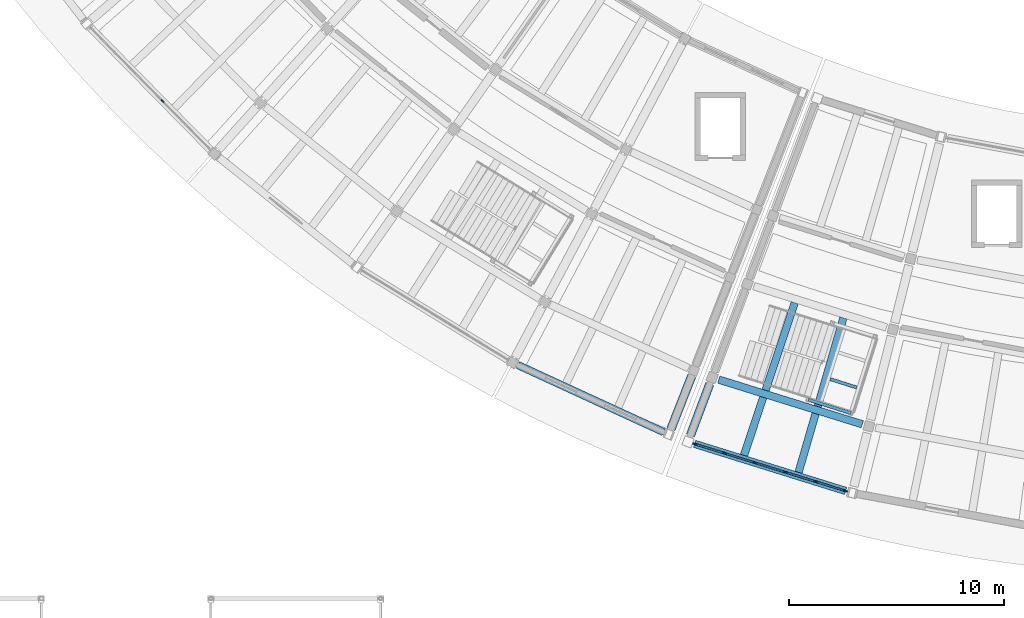
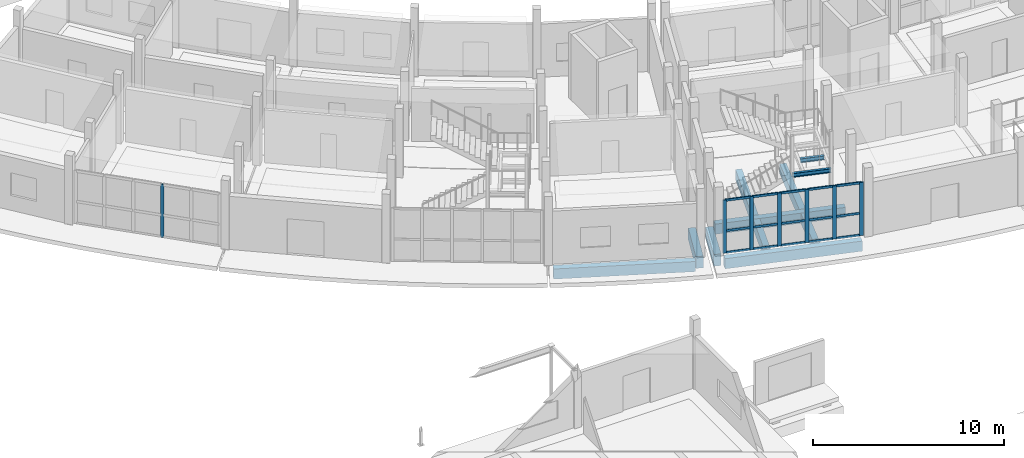
# One storey, part 25 of 92: 22 members, 9 beams, 2 elements without a shape of their own.
"""IFC4 building model written with IfcOpenShell, lengths in metres."""

import ifcopenshell
import ifcopenshell.guid

model = None  # the IFC model being written
_history = None  # IfcOwnerHistory: only IFC2X3 demands one
_inside = {}  # id of a spatial element -> (the spatial element, [elements in it])
_under = {}  # id of a project, library or spatial element -> (it, [spatial elements below it])
_declared = {}  # id of a project -> (the project, [libraries it declares])
_typed = {}  # id of a type object -> (the type object, [elements of that type])
_made_of = {}  # id of a material, layer set ... -> (it, [elements and type objects made of it])


def new_model(schema):
    """Start an empty IFC model of exactly this schema.

    Asked for "IFC4X3", IfcOpenShell would pick the latest addendum, in which some entities
    have other attributes; the version numbers below select the first issue.
    IFC2X3 requires an IfcOwnerHistory on every rooted entity: one is made here for all.
    """
    global model, _history
    if schema == "IFC4X3":
        model = ifcopenshell.file(schema_version=(4, 3, 0, 0))
    else:
        model = ifcopenshell.file(schema=schema)
    _inside.clear()
    _under.clear()
    _declared.clear()
    _typed.clear()
    _made_of.clear()
    _history = None
    if model.schema == "IFC2X3":
        org = make("IfcOrganization", Name="unknown")
        user = make(
            "IfcPersonAndOrganization",
            ThePerson=make("IfcPerson", FamilyName="unknown"),
            TheOrganization=org,
        )
        app = make(
            "IfcApplication",
            ApplicationDeveloper=org,
            Version="unknown",
            ApplicationFullName="unknown",
            ApplicationIdentifier="unknown",
        )
        _history = make(
            "IfcOwnerHistory",
            OwningUser=user,
            OwningApplication=app,
            ChangeAction="ADDED",
            CreationDate=0,
        )
    return model


def make(cls, **values):
    """One entity of the class cls with the attributes given. An attribute that is None is left unset."""
    return model.create_entity(
        cls, **{name: value for name, value in values.items() if value is not None}
    )


def rooted(cls, **values):
    """An entity with a GlobalId (a new one), such as an element, a storey or a relation."""
    return make(cls, GlobalId=ifcopenshell.guid.new(), OwnerHistory=_history, **values)


def si_unit(unit_type, name, prefix=None):
    """IfcSIUnit, for example si_unit("LENGTHUNIT", "METRE", prefix="MILLI")."""
    return make("IfcSIUnit", UnitType=unit_type, Prefix=prefix, Name=name)


def assignment(units):
    """IfcUnitAssignment: the units of a project."""
    return None if units is None else make("IfcUnitAssignment", Units=units)


def point(xyz):
    """IfcCartesianPoint."""
    return None if xyz is None else make("IfcCartesianPoint", Coordinates=xyz)


def direction(xyz):
    """IfcDirection."""
    return None if xyz is None else make("IfcDirection", DirectionRatios=xyz)


def frame(location, z_axis=None, x_axis=None):
    """IfcAxis2Placement3D, a coordinate frame: its origin and axes. An axis left out is left unset."""
    return make(
        "IfcAxis2Placement3D",
        Location=point(location),
        Axis=direction(z_axis),
        RefDirection=direction(x_axis),
    )


def frame_2d(location, x_axis=None):
    """IfcAxis2Placement2D, a coordinate frame in the plane: its origin and x axis."""
    return make(
        "IfcAxis2Placement2D", Location=point(location), RefDirection=direction(x_axis)
    )


def origin():
    """The frame at (0, 0, 0) with its axes left unset."""
    return frame((0.0, 0.0, 0.0))


def origin_2d():
    """The frame at (0, 0) in the plane with its x axis left unset."""
    return frame_2d((0.0, 0.0))


def place(relative_to, where):
    """IfcLocalPlacement: puts the frame where relative to a parent placement (None: the world)."""
    return make(
        "IfcLocalPlacement", PlacementRelTo=relative_to, RelativePlacement=where
    )


def context(
    kind, dimensions, precision=None, world=None, true_north=None, identifier=None
):
    """IfcGeometricRepresentationContext, for example the 3D "Model" context."""
    return make(
        "IfcGeometricRepresentationContext",
        ContextIdentifier=identifier,
        ContextType=kind,
        CoordinateSpaceDimension=dimensions,
        Precision=precision,
        WorldCoordinateSystem=world,
        TrueNorth=true_north,
    )


def subcontext(parent, identifier, kind, view, scale=None):
    """IfcGeometricRepresentationSubContext, for example "Body" below "Model"."""
    return make(
        "IfcGeometricRepresentationSubContext",
        ContextIdentifier=identifier,
        ContextType=kind,
        ParentContext=parent,
        TargetScale=scale,
        TargetView=view,
    )


def project(units=None, contexts=None):
    """IfcProject with its units and contexts."""
    return rooted(
        "IfcProject",
        Name="project",
        RepresentationContexts=contexts,
        UnitsInContext=assignment(units),
    )


def spatial(cls, under=None, at=None, **own):
    """A site, building, storey or space (cls), placed at a placement, below another one or the project."""
    s = rooted(cls, ObjectPlacement=at, **own)
    if under is not None:
        _under.setdefault(under.id(), (under, []))[1].append(s)
    return s


def profile(cls, at=None, kind="AREA", **sizes):
    """A parametric profile (cls). Its sizes go by their IFC names, for example OverallWidth=200.0."""
    return make(cls, ProfileType=kind, Position=at, **sizes)


def rectangle(**sizes):
    """IfcRectangleProfileDef."""
    return profile("IfcRectangleProfileDef", **sizes)


def i_section(**sizes):
    """IfcIShapeProfileDef."""
    return profile("IfcIShapeProfileDef", **sizes)


def extrude(swept, where, along, depth):
    """IfcExtrudedAreaSolid: the profile swept, set in the frame where, extruded along a direction by depth."""
    return make(
        "IfcExtrudedAreaSolid",
        SweptArea=swept,
        Position=where,
        ExtrudedDirection=direction(along),
        Depth=depth,
    )


def shape(context_of_items, identifier, shape_type, items):
    """IfcShapeRepresentation: the items that make up one representation, for example the "Body"."""
    return make(
        "IfcShapeRepresentation",
        ContextOfItems=context_of_items,
        RepresentationIdentifier=identifier,
        RepresentationType=shape_type,
        Items=items,
    )


def material(Name=None, Category=None):
    """IfcMaterial."""
    return make("IfcMaterial", Name=Name, Category=Category)


def layer(
    of_material, thickness, ventilated=None, Name=None, Category=None, Priority=None
):
    """IfcMaterialLayer: one layer of a wall or slab, of a material (None: an air gap)."""
    return make(
        "IfcMaterialLayer",
        Material=of_material,
        LayerThickness=thickness,
        IsVentilated=ventilated,
        Name=Name,
        Category=Category,
        Priority=Priority,
    )


def layer_set(layers, Name=None):
    """IfcMaterialLayerSet."""
    return make("IfcMaterialLayerSet", MaterialLayers=layers, LayerSetName=Name)


def material_profile(
    of_material, cross_section, Name=None, Category=None, Priority=None
):
    """IfcMaterialProfile: a cross section and its material."""
    return make(
        "IfcMaterialProfile",
        Name=Name,
        Material=of_material,
        Profile=cross_section,
        Priority=Priority,
        Category=Category,
    )


def profile_set(profiles, Name=None, composite=None):
    """IfcMaterialProfileSet."""
    return make(
        "IfcMaterialProfileSet",
        Name=Name,
        MaterialProfiles=profiles,
        CompositeProfile=composite,
    )


def made_of(thing, what):
    """Note that an element or type object is made of a material, layer set ...; save() writes the relation."""
    if what is not None:
        _made_of.setdefault(what.id(), (what, []))[1].append(thing)
    return thing


def type_object(cls, material=None, **own):
    """A type object (cls), such as IfcWallType, which elements share."""
    return made_of(rooted(cls, **own), material)


def element(
    cls,
    number,
    at=None,
    inside=None,
    cuts=None,
    type_object=None,
    material=None,
    context=None,
    identifier="Body",
    shape_type=None,
    held_by="IfcProductDefinitionShape",
    body=None,
    shapes=None,
    **own,
):
    """One element of the class cls, such as IfcWall. Its Tag is "e" and its number.

    at: its placement. inside: the storey or other place that contains it. cuts: it is an
    opening in that element (IfcRelVoidsElement). A single representation is given by context,
    identifier, shape_type and body (its items); several are given by shapes. held_by: the class
    of the entity that holds the representations. save() writes the other relations.
    """
    e = rooted(cls, Tag="e%d" % number, ObjectPlacement=at, **own)
    if body is not None:
        shapes = [shape(context, identifier, shape_type, body)]
    if shapes is not None:
        e.Representation = make(held_by, Representations=shapes)
    if inside is not None:
        _inside.setdefault(inside.id(), (inside, []))[1].append(e)
    if cuts is not None:
        rooted(
            "IfcRelVoidsElement", RelatingBuildingElement=cuts, RelatedOpeningElement=e
        )
    if type_object is not None:
        _typed.setdefault(type_object.id(), (type_object, []))[1].append(e)
    return made_of(e, material)


def aggregate(whole, parts):
    """IfcRelAggregates: a whole, such as a stair, and the parts it consists of."""
    return rooted("IfcRelAggregates", RelatingObject=whole, RelatedObjects=parts)


def save(model, path):
    """Write the relations noted so far, then the file.

    IfcRelAggregates (storeys below a building ...), IfcRelContainedInSpatialStructure (elements
    in a storey), IfcRelDefinesByType, IfcRelAssociatesMaterial and IfcRelDeclares: one each for
    every whole, place, type object, material and project.
    """
    for whole, parts in _under.values():
        aggregate(whole, parts)
    for where, things in _inside.values():
        rooted(
            "IfcRelContainedInSpatialStructure",
            RelatedElements=things,
            RelatingStructure=where,
        )
    for kind, things in _typed.values():
        rooted("IfcRelDefinesByType", RelatedObjects=things, RelatingType=kind)
    for what, things in _made_of.values():
        rooted("IfcRelAssociatesMaterial", RelatedObjects=things, RelatingMaterial=what)
    for by, libraries in _declared.values():
        rooted("IfcRelDeclares", RelatingContext=by, RelatedDefinitions=libraries)
    model.write(path)


model = new_model("IFC4")

# Units and contexts
model_context = context("Model", 3, precision=1e-05, world=origin(), true_north=direction((0.0, 1.0)))
body_context = subcontext(model_context, "Body", "Model", "MODEL_VIEW")
ifc_project = project(units=[si_unit("LENGTHUNIT", "METRE"), si_unit("AREAUNIT", "SQUARE_METRE"), si_unit("VOLUMEUNIT", "CUBIC_METRE"), si_unit("PLANEANGLEUNIT", "RADIAN"), si_unit("MASSUNIT", "GRAM", prefix="KILO")], contexts=[model_context])

# Site, building, storey
site_placement = place(None, origin())
site = spatial("IfcSite", under=ifc_project, at=site_placement, CompositionType="ELEMENT")
building_placement = place(site_placement, origin())
building = spatial("IfcBuilding", under=site, at=building_placement, Name="Caldaven Crescent School", CompositionType="ELEMENT")
storey_placement = place(building_placement, origin())
storey = spatial("IfcBuildingStorey", under=building, at=storey_placement, Name="L00", CompositionType="ELEMENT", Elevation=0.0)

# Beams
ifc_material_1 = material(Name="Concrete C30/37", Category="concrete")
ifc_material_profile_1 = material_profile(ifc_material_1, rectangle(XDim=0.35009765625, YDim=0.64990234375, at=origin_2d()), Name="RC 350x650")
ifc_profile_set_1 = profile_set([ifc_material_profile_1], Name="Concrete C30/37")
beam_type_1 = type_object("IfcBeamType", Name="BM-RC35", PredefinedType="BEAM", material=ifc_profile_set_1)
beam_1_placement = place(storey_placement, frame((64.954833984375, 33.799560546875, -0.5849609375), z_axis=(0.954746869567, -0.297419594265, 0.0), x_axis=(0.297419594265, 0.954746869567, 0.0)))
element("IfcBeam", 1, at=beam_1_placement, inside=storey, type_object=beam_type_1, Name="BMT-V5-L00-0817", PredefinedType="BEAM", context=body_context, shape_type="SweptSolid", body=[
    extrude(rectangle(XDim=0.35009765625, YDim=0.64990234375, at=origin_2d()), origin(), (0.0, 0.0, 1.0), 7.005126953125),
])
for number, where, z_axis, x_axis, name in (
    (2, (68.49462890625, 37.381103515625, -0.5849609375), (-0.315719808041, -0.948852466304, 0.0), (0.948852466304, -0.315719808041, 0.0), "JSR-V5-L00-0820"),
    (3, (70.763427734375, 36.67431640625, -0.5849609375), (-0.278997137609, -0.960291933323, 0.0), (0.960291933323, -0.278997137609, 0.0), "JSR-V5-L00-0822"),
):
    element("IfcBeam", number, at=place(storey_placement, frame(where, z_axis=z_axis, x_axis=x_axis)), inside=storey, type_object=beam_type_1, Name=name, PredefinedType="BEAM", context=body_context, shape_type="SweptSolid", body=[
        extrude(rectangle(XDim=0.35009765625, YDim=0.64990234375, at=origin_2d()), origin(), (0.0, 0.0, 1.0), 7.49853515625),
    ])
ifc_material_2 = material(Name="Concrete C35/45", Category="concrete")
ifc_material_profile_2 = material_profile(ifc_material_2, rectangle(XDim=0.39990234375, YDim=0.75, at=origin_2d()), Name="RC 400x750")
ifc_profile_set_2 = profile_set([ifc_material_profile_2], Name="Concrete C35/45")
beam_type_2 = type_object("IfcBeamType", Name="BM-RC40", PredefinedType="BEAM", material=ifc_profile_set_2)
beam_2_placement = place(storey_placement, frame((63.69775390625, 33.970703125, -0.635009765625), z_axis=(-0.364766172025, -0.931099156775, 0.0), x_axis=(0.931099156775, -0.364766172025, 0.0)))
element("IfcBeam", 4, at=beam_2_placement, inside=storey, type_object=beam_type_2, Name="BMR-V4W-L00-0742", PredefinedType="BEAM", context=body_context, shape_type="SweptSolid", body=[
    extrude(rectangle(XDim=0.39990234375, YDim=0.75, at=origin_2d()), origin(), (0.0, 0.0, 1.0), 2.659912109375),
])
beam_3_placement = place(storey_placement, frame((64.53662109375, 33.59521484375, -0.635009765625), z_axis=(-0.351907163442, -0.936034907639, 0.0), x_axis=(0.936034907639, -0.351907163442, 0.0)))
element("IfcBeam", 5, at=beam_3_placement, inside=storey, type_object=beam_type_2, Name="BMR-V5-L00-0789", PredefinedType="BEAM", context=body_context, shape_type="SweptSolid", body=[
    extrude(rectangle(XDim=0.39990234375, YDim=0.75, at=origin_2d()), origin(), (0.0, 0.0, 1.0), 2.56005859375),
])
ifc_material_3 = material(Name="Steel ASTM A572 Grade 50", Category="steel")
ifc_material_profile_3 = material_profile(ifc_material_3, i_section(OverallWidth=0.14599609375, OverallDepth=0.258056640625, WebThickness=0.006103515625, FlangeThickness=0.009033203125, FilletRadius=0.011962890625, at=origin_2d()), Name="W250x33")
ifc_profile_set_3 = profile_set([ifc_material_profile_3], Name="Steel ASTM A572 Grade 50")
beam_type_3 = type_object("IfcBeamType", Name="BM-W25", PredefinedType="BEAM", material=ifc_profile_set_3)
beam_4_placement = place(storey_placement, frame((69.12109375, 32.864990234375, 1.885986328125), z_axis=(0.95369733951, -0.300767991334, 0.0), x_axis=(0.300767991334, 0.95369733951, 0.0)))
element("IfcBeam", 6, at=beam_4_placement, inside=storey, type_object=beam_type_3, Name="BM-STSIDE-ST2-L00-SL", PredefinedType="BEAM", context=body_context, shape_type="SweptSolid", body=[
    extrude(i_section(OverallWidth=0.14599609375, OverallDepth=0.258056640625, WebThickness=0.006103515625, FlangeThickness=0.009033203125, FilletRadius=0.011962890625, at=origin_2d()), origin(), (0.0, 0.0, 1.0), 2.090087890625),
])

# Curtain wall, member
ifc_material_4 = material(Name="Anodised aluminium AA 6063-T6 and low-E double glazing", Category="aluminium")
ifc_layer = layer(ifc_material_4, 0.169921875)
ifc_layer_set = layer_set([ifc_layer], Name="Anodised aluminium AA 6063-T6 and low-E double glazing")
curtain_wall_type = type_object("IfcCurtainWallType", Name="CW-SYS1", PredefinedType="NOTDEFINED", material=ifc_layer_set)
curtain_wall_1_placement = place(storey_placement, origin())
curtain_wall_1 = element("IfcCurtainWall", 7, at=curtain_wall_1_placement, inside=storey, type_object=curtain_wall_type, Name="CW-L00-105", PredefinedType="NOTDEFINED")
ifc_material_5 = material(Name="Anodised aluminium AA 6063-T6", Category="aluminium")
ifc_material_profile_4 = material_profile(ifc_material_5, rectangle(XDim=0.06494140625, YDim=0.179931640625, at=origin_2d()), Name="CWM 65x180")
ifc_profile_set_4 = profile_set([ifc_material_profile_4], Name="Anodised aluminium AA 6063-T6")
member_type_1 = type_object("IfcMemberType", Name="CWM-T2", PredefinedType="MULLION", material=ifc_profile_set_4)
member_1_placement = place(storey_placement, frame((39.0390625, 46.77978515625, 0.0), z_axis=(0.0, 0.0, 1.0), x_axis=(0.713250774972, 0.700908932745, 0.0)))
member_1 = element("IfcMember", 8, at=member_1_placement, type_object=member_type_1, Name="CW1 mullion 4", PredefinedType="MULLION", context=body_context, shape_type="SweptSolid", body=[
    extrude(rectangle(XDim=0.06494140625, YDim=0.179931640625, at=origin_2d()), origin(), (0.0, 0.0, 1.0), 3.39990234375),
])
aggregate(curtain_wall_1, [member_1])

# Curtain wall, members
curtain_wall_2_placement = place(storey_placement, origin())
curtain_wall_2 = element("IfcCurtainWall", 9, at=curtain_wall_2_placement, inside=storey, type_object=curtain_wall_type, Name="CW-L00-107", PredefinedType="NOTDEFINED")
ifc_material_profile_5 = material_profile(ifc_material_5, rectangle(XDim=0.070068359375, YDim=0.2099609375, at=origin_2d()), Name="CWM 70x210")
ifc_profile_set_5 = profile_set([ifc_material_profile_5], Name="Anodised aluminium AA 6063-T6")
member_type_2 = type_object("IfcMemberType", Name="CWM-T3", PredefinedType="MULLION", material=ifc_profile_set_5)
member_2_placement = place(storey_placement, frame((63.843017578125, 30.7998046875, 0.0), z_axis=(0.0, 0.0, 1.0), x_axis=(0.297420222689, 0.954746673802, 0.0)))
member_2 = element("IfcMember", 10, at=member_2_placement, type_object=member_type_2, Name="CW1 mullion 1", PredefinedType="MULLION", context=body_context, shape_type="SweptSolid", body=[
    extrude(rectangle(XDim=0.070068359375, YDim=0.2099609375, at=origin_2d()), origin(), (0.0, 0.0, 1.0), 3.39990234375),
])
member_3_placement = place(storey_placement, frame((65.225341796875, 30.369140625, 0.0), z_axis=(0.0, 0.0, 1.0), x_axis=(0.297420222689, 0.954746673802, 0.0)))
member_3 = element("IfcMember", 11, at=member_3_placement, type_object=member_type_2, Name="CW1 mullion 2", PredefinedType="MULLION", context=body_context, shape_type="SweptSolid", body=[
    extrude(rectangle(XDim=0.070068359375, YDim=0.2099609375, at=origin_2d()), origin(), (0.0, 0.0, 1.0), 3.39990234375),
])
member_4_placement = place(storey_placement, frame((66.640869140625, 29.92822265625, 0.0), z_axis=(0.0, 0.0, 1.0), x_axis=(0.297420222689, 0.954746673802, 0.0)))
member_4 = element("IfcMember", 12, at=member_4_placement, type_object=member_type_2, Name="CW1 mullion 3", PredefinedType="MULLION", context=body_context, shape_type="SweptSolid", body=[
    extrude(rectangle(XDim=0.070068359375, YDim=0.2099609375, at=origin_2d()), origin(), (0.0, 0.0, 1.0), 3.39990234375),
])
member_5_placement = place(storey_placement, frame((68.056640625, 29.487060546875, 0.0), z_axis=(0.0, 0.0, 1.0), x_axis=(0.297420222689, 0.954746673802, 0.0)))
member_5 = element("IfcMember", 13, at=member_5_placement, type_object=member_type_2, Name="CW1 mullion 4", PredefinedType="MULLION", context=body_context, shape_type="SweptSolid", body=[
    extrude(rectangle(XDim=0.070068359375, YDim=0.2099609375, at=origin_2d()), origin(), (0.0, 0.0, 1.0), 3.39990234375),
])
member_6_placement = place(storey_placement, frame((69.47216796875, 29.046142578125, 0.0), z_axis=(0.0, 0.0, 1.0), x_axis=(0.297420222689, 0.954746673802, 0.0)))
member_6 = element("IfcMember", 14, at=member_6_placement, type_object=member_type_2, Name="CW1 mullion 5", PredefinedType="MULLION", context=body_context, shape_type="SweptSolid", body=[
    extrude(rectangle(XDim=0.070068359375, YDim=0.2099609375, at=origin_2d()), origin(), (0.0, 0.0, 1.0), 3.39990234375),
])
member_7_placement = place(storey_placement, frame((70.8544921875, 28.615478515625, 0.0), z_axis=(0.0, 0.0, 1.0), x_axis=(0.297420222689, 0.954746673802, 0.0)))
member_7 = element("IfcMember", 15, at=member_7_placement, type_object=member_type_2, Name="CW1 mullion 6", PredefinedType="MULLION", context=body_context, shape_type="SweptSolid", body=[
    extrude(rectangle(XDim=0.070068359375, YDim=0.2099609375, at=origin_2d()), origin(), (0.0, 0.0, 1.0), 3.39990234375),
])
ifc_material_profile_6 = material_profile(ifc_material_5, rectangle(XDim=0.06494140625, YDim=0.139892578125, at=origin_2d()), Name="CWT 65x140")
ifc_profile_set_6 = profile_set([ifc_material_profile_6], Name="Anodised aluminium AA 6063-T6")
member_type_3 = type_object("IfcMemberType", Name="CWT-T2", PredefinedType="USERDEFINED", material=ifc_profile_set_6)
member_8_placement = place(storey_placement, frame((63.87646484375, 30.789306640625, 0.032470703125), z_axis=(0.954769609805, -0.297346585979, 0.0), x_axis=(0.297346585979, 0.954769609805, 0.0)))
member_8 = element("IfcMember", 16, at=member_8_placement, type_object=member_type_3, Name="CW1 transom 1.1", ObjectType="TRANSOM", PredefinedType="USERDEFINED", context=body_context, shape_type="SweptSolid", body=[
    extrude(rectangle(XDim=0.06494140625, YDim=0.139892578125, at=origin_2d()), origin(), (0.0, 0.0, 1.0), 1.377685546875),
])
member_9_placement = place(storey_placement, frame((63.87646484375, 30.789306640625, 1.427978515625), z_axis=(0.954769609805, -0.297346585979, 0.0), x_axis=(0.297346585979, 0.954769609805, 0.0)))
member_9 = element("IfcMember", 17, at=member_9_placement, type_object=member_type_3, Name="CW1 transom 1.2", ObjectType="TRANSOM", PredefinedType="USERDEFINED", context=body_context, shape_type="SweptSolid", body=[
    extrude(rectangle(XDim=0.06494140625, YDim=0.139892578125, at=origin_2d()), origin(), (0.0, 0.0, 1.0), 1.377685546875),
])
member_10_placement = place(storey_placement, frame((63.87646484375, 30.789306640625, 3.367431640625), z_axis=(0.954769609805, -0.297346585979, 0.0), x_axis=(0.297346585979, 0.954769609805, 0.0)))
member_10 = element("IfcMember", 18, at=member_10_placement, type_object=member_type_3, Name="CW1 transom 1.3", ObjectType="TRANSOM", PredefinedType="USERDEFINED", context=body_context, shape_type="SweptSolid", body=[
    extrude(rectangle(XDim=0.06494140625, YDim=0.139892578125, at=origin_2d()), origin(), (0.0, 0.0, 1.0), 1.377685546875),
])
member_11_placement = place(storey_placement, frame((65.2587890625, 30.35888671875, 0.032470703125), z_axis=(0.954688856348, -0.297605758623, 0.0), x_axis=(0.297605758623, 0.954688856348, 0.0)))
member_11 = element("IfcMember", 19, at=member_11_placement, type_object=member_type_3, Name="CW1 transom 2.1", ObjectType="TRANSOM", PredefinedType="USERDEFINED", context=body_context, shape_type="SweptSolid", body=[
    extrude(rectangle(XDim=0.06494140625, YDim=0.139892578125, at=origin_2d()), origin(), (0.0, 0.0, 1.0), 1.41259765625),
])
member_12_placement = place(storey_placement, frame((65.2587890625, 30.35888671875, 1.427978515625), z_axis=(0.954688856348, -0.297605758623, 0.0), x_axis=(0.297605758623, 0.954688856348, 0.0)))
member_12 = element("IfcMember", 20, at=member_12_placement, type_object=member_type_3, Name="CW1 transom 2.2", ObjectType="TRANSOM", PredefinedType="USERDEFINED", context=body_context, shape_type="SweptSolid", body=[
    extrude(rectangle(XDim=0.06494140625, YDim=0.139892578125, at=origin_2d()), origin(), (0.0, 0.0, 1.0), 1.41259765625),
])
member_13_placement = place(storey_placement, frame((65.2587890625, 30.35888671875, 3.367431640625), z_axis=(0.954688856348, -0.297605758623, 0.0), x_axis=(0.297605758623, 0.954688856348, 0.0)))
member_13 = element("IfcMember", 21, at=member_13_placement, type_object=member_type_3, Name="CW1 transom 2.3", ObjectType="TRANSOM", PredefinedType="USERDEFINED", context=body_context, shape_type="SweptSolid", body=[
    extrude(rectangle(XDim=0.06494140625, YDim=0.139892578125, at=origin_2d()), origin(), (0.0, 0.0, 1.0), 1.41259765625),
])
member_14_placement = place(storey_placement, frame((66.67431640625, 29.917724609375, 0.032470703125), z_axis=(0.954753237083, -0.297399153126, 0.0), x_axis=(0.297399153126, 0.954753237083, 0.0)))
member_14 = element("IfcMember", 22, at=member_14_placement, type_object=member_type_3, Name="CW1 transom 3.1", ObjectType="TRANSOM", PredefinedType="USERDEFINED", context=body_context, shape_type="SweptSolid", body=[
    extrude(rectangle(XDim=0.06494140625, YDim=0.139892578125, at=origin_2d()), origin(), (0.0, 0.0, 1.0), 1.412841796875),
])
member_15_placement = place(storey_placement, frame((66.67431640625, 29.917724609375, 1.427978515625), z_axis=(0.954753237083, -0.297399153126, 0.0), x_axis=(0.297399153126, 0.954753237083, 0.0)))
member_15 = element("IfcMember", 23, at=member_15_placement, type_object=member_type_3, Name="CW1 transom 3.2", ObjectType="TRANSOM", PredefinedType="USERDEFINED", context=body_context, shape_type="SweptSolid", body=[
    extrude(rectangle(XDim=0.06494140625, YDim=0.139892578125, at=origin_2d()), origin(), (0.0, 0.0, 1.0), 1.412841796875),
])
member_16_placement = place(storey_placement, frame((66.67431640625, 29.917724609375, 3.367431640625), z_axis=(0.954753237083, -0.297399153126, 0.0), x_axis=(0.297399153126, 0.954753237083, 0.0)))
member_16 = element("IfcMember", 24, at=member_16_placement, type_object=member_type_3, Name="CW1 transom 3.3", ObjectType="TRANSOM", PredefinedType="USERDEFINED", context=body_context, shape_type="SweptSolid", body=[
    extrude(rectangle(XDim=0.06494140625, YDim=0.139892578125, at=origin_2d()), origin(), (0.0, 0.0, 1.0), 1.412841796875),
])
member_17_placement = place(storey_placement, frame((68.090087890625, 29.476806640625, 0.032470703125), z_axis=(0.954737949254, -0.297448227854, 0.0), x_axis=(0.297448227854, 0.954737949254, 0.0)))
member_17 = element("IfcMember", 25, at=member_17_placement, type_object=member_type_3, Name="CW1 transom 4.1", ObjectType="TRANSOM", PredefinedType="USERDEFINED", context=body_context, shape_type="SweptSolid", body=[
    extrude(rectangle(XDim=0.06494140625, YDim=0.139892578125, at=origin_2d()), origin(), (0.0, 0.0, 1.0), 1.41259765625),
])
member_18_placement = place(storey_placement, frame((68.090087890625, 29.476806640625, 1.427978515625), z_axis=(0.954737949254, -0.297448227854, 0.0), x_axis=(0.297448227854, 0.954737949254, 0.0)))
member_18 = element("IfcMember", 26, at=member_18_placement, type_object=member_type_3, Name="CW1 transom 4.2", ObjectType="TRANSOM", PredefinedType="USERDEFINED", context=body_context, shape_type="SweptSolid", body=[
    extrude(rectangle(XDim=0.06494140625, YDim=0.139892578125, at=origin_2d()), origin(), (0.0, 0.0, 1.0), 1.41259765625),
])
member_19_placement = place(storey_placement, frame((68.090087890625, 29.476806640625, 3.367431640625), z_axis=(0.954737949254, -0.297448227854, 0.0), x_axis=(0.297448227854, 0.954737949254, 0.0)))
member_19 = element("IfcMember", 27, at=member_19_placement, type_object=member_type_3, Name="CW1 transom 4.3", ObjectType="TRANSOM", PredefinedType="USERDEFINED", context=body_context, shape_type="SweptSolid", body=[
    extrude(rectangle(XDim=0.06494140625, YDim=0.139892578125, at=origin_2d()), origin(), (0.0, 0.0, 1.0), 1.41259765625),
])
member_20_placement = place(storey_placement, frame((69.505615234375, 29.03564453125, 0.032470703125), z_axis=(0.954769609805, -0.297346585979, 0.0), x_axis=(0.297346585979, 0.954769609805, 0.0)))
member_20 = element("IfcMember", 28, at=member_20_placement, type_object=member_type_3, Name="CW1 transom 5.1", ObjectType="TRANSOM", PredefinedType="USERDEFINED", context=body_context, shape_type="SweptSolid", body=[
    extrude(rectangle(XDim=0.06494140625, YDim=0.139892578125, at=origin_2d()), origin(), (0.0, 0.0, 1.0), 1.377685546875),
])
member_21_placement = place(storey_placement, frame((69.505615234375, 29.03564453125, 1.427978515625), z_axis=(0.954769609805, -0.297346585979, 0.0), x_axis=(0.297346585979, 0.954769609805, 0.0)))
member_21 = element("IfcMember", 29, at=member_21_placement, type_object=member_type_3, Name="CW1 transom 5.2", ObjectType="TRANSOM", PredefinedType="USERDEFINED", context=body_context, shape_type="SweptSolid", body=[
    extrude(rectangle(XDim=0.06494140625, YDim=0.139892578125, at=origin_2d()), origin(), (0.0, 0.0, 1.0), 1.377685546875),
])
member_22_placement = place(storey_placement, frame((69.505615234375, 29.03564453125, 3.367431640625), z_axis=(0.954769609805, -0.297346585979, 0.0), x_axis=(0.297346585979, 0.954769609805, 0.0)))
member_22 = element("IfcMember", 30, at=member_22_placement, type_object=member_type_3, Name="CW1 transom 5.3", ObjectType="TRANSOM", PredefinedType="USERDEFINED", context=body_context, shape_type="SweptSolid", body=[
    extrude(rectangle(XDim=0.06494140625, YDim=0.139892578125, at=origin_2d()), origin(), (0.0, 0.0, 1.0), 1.377685546875),
])
aggregate(curtain_wall_2, [member_2, member_3, member_4, member_5, member_6, member_7, member_8, member_9, member_10, member_11, member_12, member_13, member_14, member_15, member_16, member_17, member_18, member_19, member_20, member_21, member_22])

# Beams
ifc_material_profile_7 = material_profile(ifc_material_3, i_section(OverallWidth=0.14599609375, OverallDepth=0.258056640625, WebThickness=0.006103515625, FlangeThickness=0.009033203125, FilletRadius=0.011962890625, at=origin_2d()), Name="W250x33")
ifc_profile_set_7 = profile_set([ifc_material_profile_7], Name="Steel ASTM A572 Grade 50")
beam_type_4 = type_object("IfcBeamType", Name="LN-W25", PredefinedType="LINTEL", material=ifc_profile_set_7)
beam_5_placement = place(storey_placement, frame((70.14599609375, 33.821044921875, 1.885986328125), z_axis=(0.953684772372, -0.30080783724, 0.0), x_axis=(0.30080783724, 0.953684772372, 0.0)))
element("IfcBeam", 31, at=beam_5_placement, inside=storey, type_object=beam_type_4, Name="BM-STJST-ST2-L00-JL", PredefinedType="LINTEL", context=body_context, shape_type="SweptSolid", body=[
    extrude(i_section(OverallWidth=0.14599609375, OverallDepth=0.258056640625, WebThickness=0.006103515625, FlangeThickness=0.009033203125, FilletRadius=0.011962890625, at=origin_2d()), origin(), (0.0, 0.0, 1.0), 1.30029296875),
])
ifc_material_profile_8 = material_profile(ifc_material_1, rectangle(XDim=0.35009765625, YDim=0.64990234375, at=origin_2d()), Name="RC 350x650")
ifc_profile_set_8 = profile_set([ifc_material_profile_8], Name="Concrete C30/37")
beam_type_5 = type_object("IfcBeamType", Name="SP-RC35", PredefinedType="SPANDREL", material=ifc_profile_set_8)
beam_6_placement = place(storey_placement, frame((55.593505859375, 34.478271484375, -0.5849609375), z_axis=(0.908527406834, -0.417825263755, 0.0), x_axis=(0.417825263755, 0.908527406834, 0.0)))
element("IfcBeam", 32, at=beam_6_placement, inside=storey, type_object=beam_type_5, Name="BMT-V4W-L00-0783", PredefinedType="SPANDREL", context=body_context, shape_type="SweptSolid", body=[
    extrude(rectangle(XDim=0.35009765625, YDim=0.64990234375, at=origin_2d()), origin(), (0.0, 0.0, 1.0), 7.473876953125),
])
beam_7_placement = place(storey_placement, frame((63.82861328125, 30.80419921875, -0.5849609375), z_axis=(0.954748816423, -0.297413344589, 0.0), x_axis=(0.297413344589, 0.954748816423, 0.0)))
element("IfcBeam", 33, at=beam_7_placement, inside=storey, type_object=beam_type_5, Name="BMT-V5-L00-0818", PredefinedType="SPANDREL", context=body_context, shape_type="SweptSolid", body=[
    extrude(rectangle(XDim=0.35009765625, YDim=0.64990234375, at=origin_2d()), origin(), (0.0, 0.0, 1.0), 7.3740234375),
])

save(model, "model.ifc")
